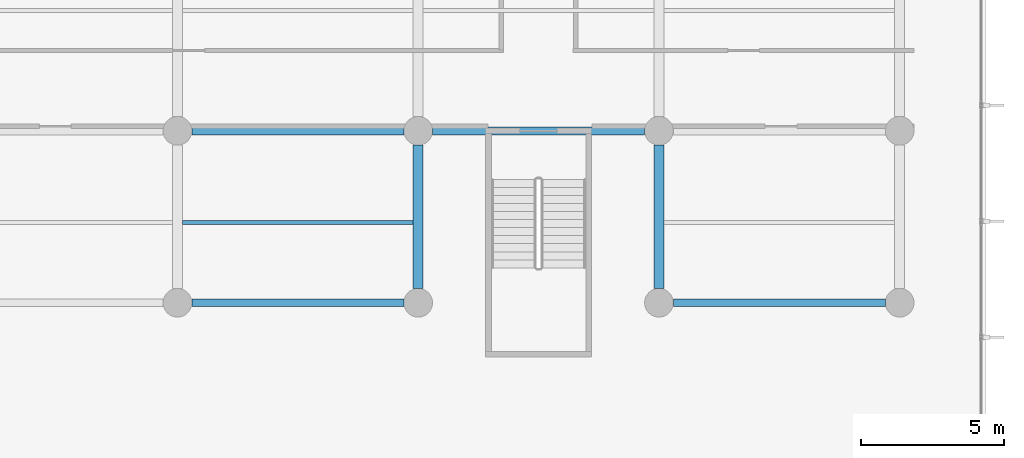
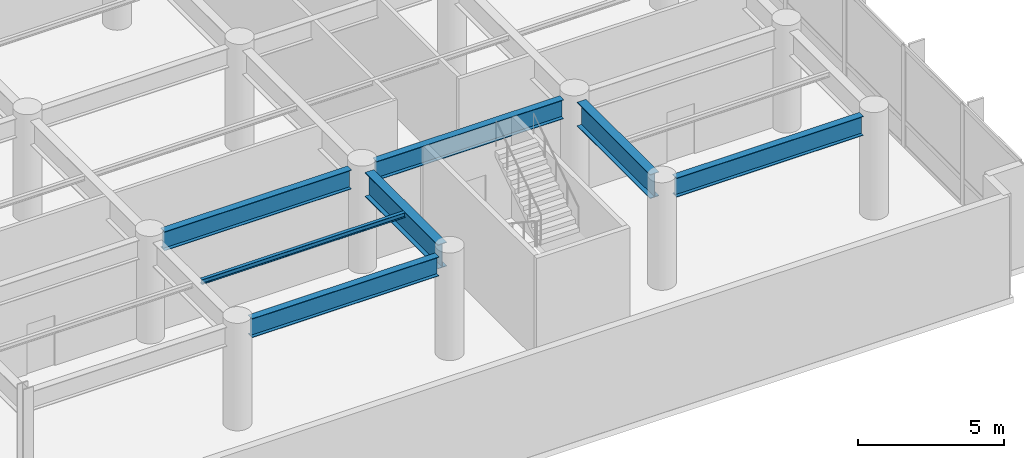
# One storey, part 6 of 26: 7 beams.
"""IFC4 building model written with IfcOpenShell, lengths in metres."""

from ifc_helpers import new_model, si_unit, direction, frame, origin, origin_2d, place, context, subcontext, project, spatial, i_section, extrude, material, material_profile, profile_set, type_object, element, save


model = new_model("IFC4")

# Units and contexts
model_context = context("Model", 3, precision=1e-05, world=origin(), true_north=direction((0.0, 1.0)))
body_context = subcontext(model_context, "Body", "Model", "MODEL_VIEW")
ifc_project = project(units=[si_unit("LENGTHUNIT", "METRE"), si_unit("AREAUNIT", "SQUARE_METRE"), si_unit("VOLUMEUNIT", "CUBIC_METRE"), si_unit("PLANEANGLEUNIT", "RADIAN"), si_unit("MASSUNIT", "GRAM", prefix="KILO")], contexts=[model_context])

# Site, building, storey
site_placement = place(None, origin())
site = spatial("IfcSite", under=ifc_project, at=site_placement, CompositionType="ELEMENT")
building_placement = place(site_placement, origin())
building = spatial("IfcBuilding", under=site, at=building_placement, Name="Varnakote Quay Hospital", CompositionType="ELEMENT")
storey_placement = place(building_placement, frame((0.0, 0.0, 13.5)))
storey = spatial("IfcBuildingStorey", under=building, at=storey_placement, Name="L03", CompositionType="ELEMENT", Elevation=13.5)

# Beams
ifc_material_1 = material(Name="Structural steel AS/NZS 3678 Grade 350 (fy 340 MPa)", Category="steel")
ifc_material_profile_1 = material_profile(ifc_material_1, i_section(OverallWidth=0.35009765625, OverallDepth=1.010009765625, WebThickness=0.01611328125, FlangeThickness=0.02490234375, at=origin_2d()), Name="1000WB258")
ifc_profile_set_1 = profile_set([ifc_material_profile_1], Name="Structural steel AS/NZS 3678 Grade 350 (fy 340 MPa)")
beam_type_1 = type_object("IfcBeamType", Name="BM-STL-1000WB258", PredefinedType="BEAM", material=ifc_profile_set_1)
for number, where, z_axis, x_axis, name in (
    (1, (67.199951171875, 6.5, 3.7451171875), (0.0, 1.0, 0.0), (-1.0, 0.0, 0.0), "L03 Primary Tie Beam"),
    (2, (75.60009765625, 6.5, 3.7451171875), (0.0, 1.0, 0.0), (-1.0, 0.0, 0.0), "L03 Primary Tie Beam"),
):
    element("IfcBeam", number, at=place(storey_placement, frame(where, z_axis=z_axis, x_axis=x_axis)), inside=storey, type_object=beam_type_1, Name=name, PredefinedType="BEAM", context=body_context, shape_type="SweptSolid", body=[
        extrude(i_section(OverallWidth=0.35009765625, OverallDepth=1.010009765625, WebThickness=0.01611328125, FlangeThickness=0.02490234375, at=origin_2d()), origin(), (0.0, 0.0, 1.0), 5.0),
    ])
ifc_material_2 = material(Name="Structural steel AS/NZS 3678 Grade 350 (fy 340 MPa)", Category="steel")
ifc_material_profile_2 = material_profile(ifc_material_2, i_section(OverallWidth=0.27490234375, OverallDepth=0.800048828125, WebThickness=0.010009765625, FlangeThickness=0.02001953125, at=origin_2d()), Name="800WB146")
ifc_profile_set_2 = profile_set([ifc_material_profile_2], Name="Structural steel AS/NZS 3678 Grade 350 (fy 340 MPa)")
beam_type_2 = type_object("IfcBeamType", Name="BM-STL-800WB146", PredefinedType="BEAM", material=ifc_profile_set_2)
for number, where, z_axis, x_axis, name in (
    (3, (59.300048828125, 6.0, 3.85009765625), (1.0, 0.0, 0.0), (0.0, 1.0, 0.0), "L03 Primary Floor Beam"),
    (4, (76.10009765625, 6.0, 3.85009765625), (1.0, 0.0, 0.0), (0.0, 1.0, 0.0), "L03 Primary Floor Beam"),
    (5, (59.300048828125, 12.0, 3.85009765625), (1.0, 0.0, 0.0), (0.0, 1.0, 0.0), "L03 Primary Floor Beam"),
):
    element("IfcBeam", number, at=place(storey_placement, frame(where, z_axis=z_axis, x_axis=x_axis)), inside=storey, type_object=beam_type_2, Name=name, PredefinedType="BEAM", context=body_context, shape_type="SweptSolid", body=[
        extrude(i_section(OverallWidth=0.27490234375, OverallDepth=0.800048828125, WebThickness=0.010009765625, FlangeThickness=0.02001953125, at=origin_2d()), origin(), (0.0, 0.0, 1.0), 7.39990234375),
    ])
beam_1_placement = place(storey_placement, frame((67.699951171875, 12.0, 3.85009765625), z_axis=(1.0, 0.0, 0.0), x_axis=(0.0, 1.0, 0.0)))
element("IfcBeam", 6, at=beam_1_placement, inside=storey, type_object=beam_type_2, Name="L03 Primary Floor Beam", PredefinedType="BEAM", context=body_context, shape_type="SweptSolid", body=[
    extrude(i_section(OverallWidth=0.27490234375, OverallDepth=0.800048828125, WebThickness=0.010009765625, FlangeThickness=0.02001953125, at=origin_2d()), origin(), (0.0, 0.0, 1.0), 7.400146484375),
])
ifc_material_3 = material(Name="Structural steel AS/NZS 3679.1 Grade 350 L0 (fy 340 MPa)", Category="steel")
ifc_material_profile_3 = material_profile(ifc_material_3, i_section(OverallWidth=0.134033203125, OverallDepth=0.20703125, WebThickness=0.00634765625, FlangeThickness=0.009521484375, FilletRadius=0.0087890625, at=origin_2d()), Name="200UB29.8")
ifc_profile_set_3 = profile_set([ifc_material_profile_3], Name="Structural steel AS/NZS 3679.1 Grade 350 L0 (fy 340 MPa)")
beam_type_3 = type_object("IfcBeamType", Name="JST-STL-200UB29-8", PredefinedType="JOIST", material=ifc_profile_set_3)
beam_2_placement = place(storey_placement, frame((58.97509765625, 8.800048828125, 4.146484375), z_axis=(1.0, 0.0, 0.0), x_axis=(0.0, 1.0, 0.0)))
element("IfcBeam", 7, at=beam_2_placement, inside=storey, type_object=beam_type_3, Name="L03 Composite Floor Joist", PredefinedType="JOIST", context=body_context, shape_type="SweptSolid", body=[
    extrude(i_section(OverallWidth=0.134033203125, OverallDepth=0.20703125, WebThickness=0.00634765625, FlangeThickness=0.009521484375, FilletRadius=0.0087890625, at=origin_2d()), origin(), (0.0, 0.0, 1.0), 8.0498046875),
])

save(model, "model.ifc")
